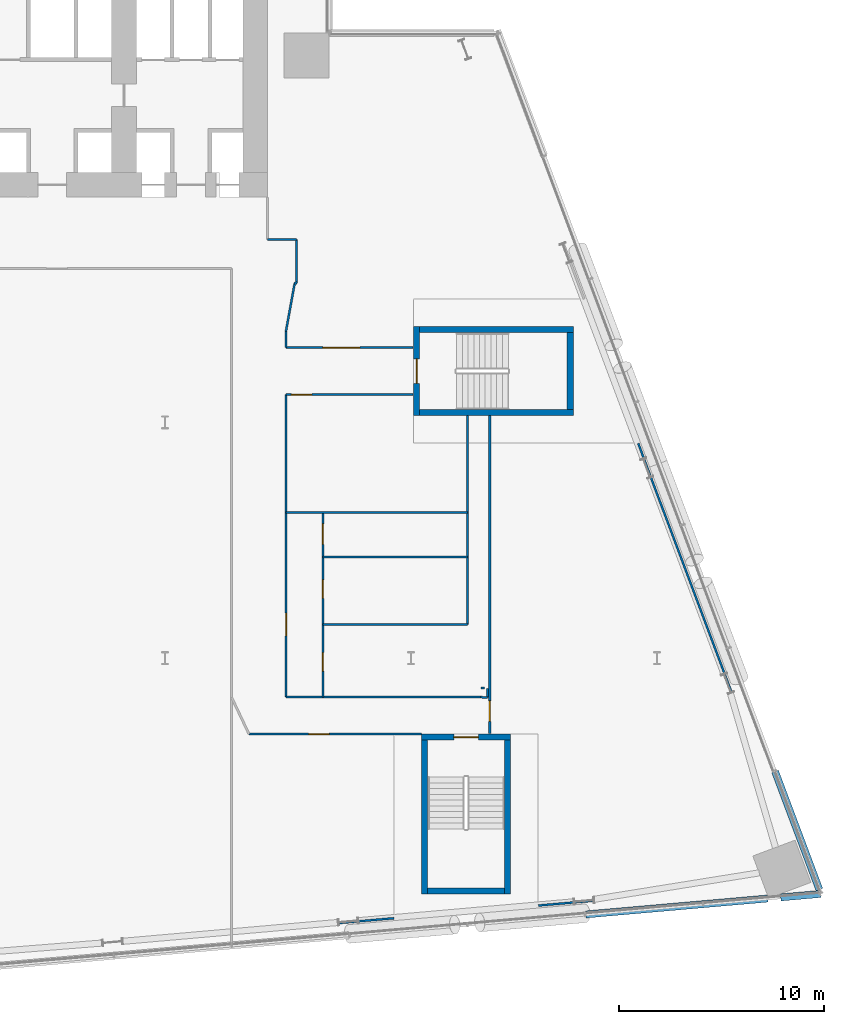
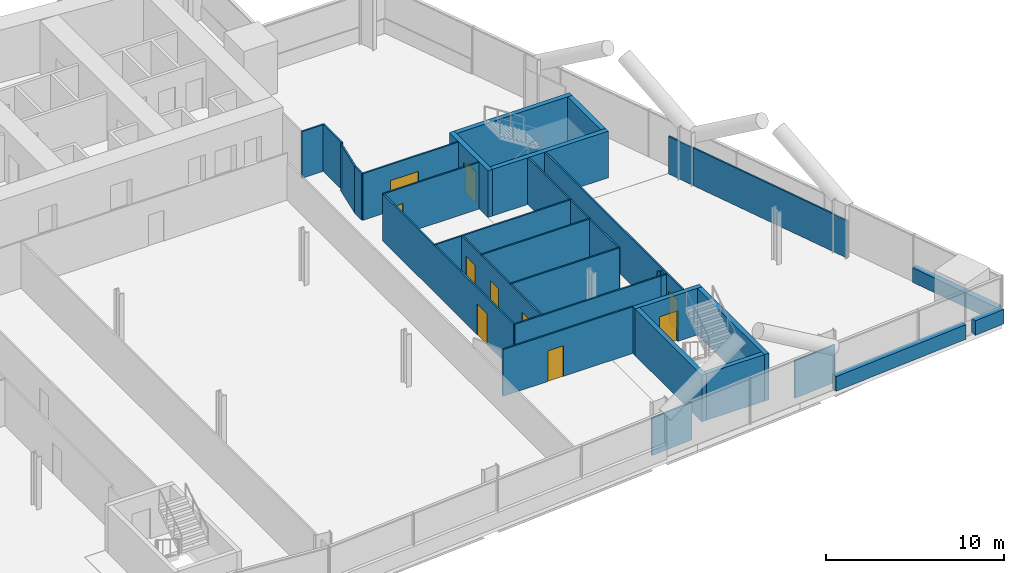
# One storey, part 16 of 24: 34 walls, 10 doors, 10 openings.
"""IFC4 building model written with IfcOpenShell, lengths in metres."""

from ifc_helpers import new_model, si_unit, direction, frame, frame_2d, origin, place, context, subcontext, project, spatial, rectangle, extrude, material, layer, layer_set, type_object, element, fill, save


model = new_model("IFC4")

# Units and contexts
model_context = context("Model", 3, precision=1e-05, world=origin(), true_north=direction((0.0, 1.0)))
body_context = subcontext(model_context, "Body", "Model", "MODEL_VIEW")
ifc_project = project(units=[si_unit("LENGTHUNIT", "METRE"), si_unit("AREAUNIT", "SQUARE_METRE"), si_unit("VOLUMEUNIT", "CUBIC_METRE"), si_unit("PLANEANGLEUNIT", "RADIAN"), si_unit("MASSUNIT", "GRAM", prefix="KILO")], contexts=[model_context])

# Site, building, storey
site_placement = place(None, origin())
site = spatial("IfcSite", under=ifc_project, at=site_placement, CompositionType="ELEMENT")
building_placement = place(site_placement, origin())
building = spatial("IfcBuilding", under=site, at=building_placement, Name="Wharfspan Tower", CompositionType="ELEMENT")
storey_placement = place(building_placement, frame((0.0, 0.0, 66.699951)))
storey = spatial("IfcBuildingStorey", under=building, at=storey_placement, Name="L13", CompositionType="ELEMENT", Elevation=66.699951)

# Wall, opening, door
ifc_material_1 = material(Name="Gypsum board on steel studs", Category="steel")
ifc_layer_1 = layer(ifc_material_1, 0.100098)
ifc_layer_set_1 = layer_set([ifc_layer_1], Name="Gypsum board on steel studs")
wall_type_1 = type_object("IfcWallType", Name="Compartment wall 100 EI 60", PredefinedType="PARTITIONING", material=ifc_layer_set_1)
wall_1_placement = place(storey_placement, frame((64.100098, 7.790039, 0.0), z_axis=(0.0, 0.0, 1.0), x_axis=(1.0, 0.0, 0.0)))
wall_1 = element("IfcWall", 1, at=wall_1_placement, inside=storey, type_object=wall_type_1, Name="Partition L13.w021", PredefinedType="PARTITIONING", context=body_context, shape_type="SweptSolid", body=[
    extrude(rectangle(XDim=8.41748, YDim=0.100098, at=frame_2d((4.20874, 0.0))), origin(), (0.0, 0.0, 1.0), 3.199951),
])
opening_1_placement = place(wall_1_placement, frame((2.913086, 0.0, 0.0)))
opening_1 = element("IfcOpeningElement", 2, at=opening_1_placement, cuts=wall_1, Name="Opening A3-01", PredefinedType="OPENING", context=body_context, shape_type="SweptSolid", body=[
    extrude(rectangle(XDim=1.0, YDim=2.100098, at=frame_2d((0.5, 1.050049))), frame((0.0, 0.060059, 0.0), z_axis=(0.0, -1.0, 0.0), x_axis=(1.0, 0.0, 0.0)), (0.0, 0.0, 1.0), 0.120117),
])
ifc_material_2 = material(Name="Fire-rated timber door leaf in steel frame", Category="steel")
door_type_1 = type_object("IfcDoorType", Name="Door 1000 FD30S Left", OperationType="SINGLE_SWING_LEFT", PredefinedType="DOOR", material=ifc_material_2)
door_1_placement = place(opening_1_placement, origin())
door_1 = element("IfcDoor", 3, at=door_1_placement, inside=storey, type_object=door_type_1, Name="Door A3-01", OperationType="SINGLE_SWING_LEFT", OverallHeight=2.100098, OverallWidth=1.0, PredefinedType="DOOR", context=body_context, shape_type="SweptSolid", body=[
    extrude(rectangle(XDim=1.0, YDim=2.100098, at=frame_2d((0.5, 1.050049))), frame((0.0, 0.024902, 0.0), z_axis=(0.0, -1.0, 0.0), x_axis=(1.0, 0.0, 0.0)), (0.0, 0.0, 1.0), 0.050049),
])
fill(opening_1, door_1)

# Wall
wall_2_placement = place(storey_placement, frame((65.0, 31.925049, 0.0), z_axis=(0.0, 0.0, 1.0), x_axis=(1.0, 0.0, 0.0)))
element("IfcWall", 4, at=wall_2_placement, inside=storey, type_object=wall_type_1, Name="Partition L13.w024", PredefinedType="PARTITIONING", context=body_context, shape_type="SweptSolid", body=[
    extrude(rectangle(XDim=1.425049, YDim=0.100098, at=frame_2d((0.712402, 0.0))), origin(), (0.0, 0.0, 1.0), 3.199951),
])

# Wall, opening, door
wall_3_placement = place(storey_placement, frame((65.899902, 24.350098, 0.0), z_axis=(0.0, 0.0, 1.0), x_axis=(1.0, 0.0, 0.0)))
wall_3 = element("IfcWall", 5, at=wall_3_placement, inside=storey, type_object=wall_type_1, Name="Partition L13.w025", PredefinedType="PARTITIONING", context=body_context, shape_type="SweptSolid", body=[
    extrude(rectangle(XDim=6.205078, YDim=0.100098, at=frame_2d((3.102539, 0.0))), origin(), (0.0, 0.0, 1.0), 3.199951),
])
opening_2_placement = place(wall_3_placement, frame((0.264893, 0.0, 0.0)))
opening_2 = element("IfcOpeningElement", 6, at=opening_2_placement, cuts=wall_3, Name="Opening A3-09", PredefinedType="OPENING", context=body_context, shape_type="SweptSolid", body=[
    extrude(rectangle(XDim=1.0, YDim=2.100098, at=frame_2d((0.5, 1.050049))), frame((0.0, 0.060059, 0.0), z_axis=(0.0, -1.0, 0.0), x_axis=(1.0, 0.0, 0.0)), (0.0, 0.0, 1.0), 0.120117),
])
door_2_placement = place(opening_2_placement, origin())
door_2 = element("IfcDoor", 7, at=door_2_placement, inside=storey, type_object=door_type_1, Name="Door A3-09", OperationType="SINGLE_SWING_LEFT", OverallHeight=2.100098, OverallWidth=1.0, PredefinedType="DOOR", context=body_context, shape_type="SweptSolid", body=[
    extrude(rectangle(XDim=1.0, YDim=2.100098, at=frame_2d((0.5, 1.050049))), frame((0.0, 0.024902, 0.0), z_axis=(0.0, -1.0, 0.0), x_axis=(1.0, 0.0, 0.0)), (0.0, 0.0, 1.0), 0.050049),
])
fill(opening_2, door_2)

# Wall
wall_4_placement = place(storey_placement, frame((65.899902, 26.649902, 0.0), z_axis=(0.0, 0.0, 1.0), x_axis=(0.0, 1.0, 0.0)))
element("IfcWall", 8, at=wall_4_placement, inside=storey, type_object=wall_type_1, Name="Partition L13.w026", PredefinedType="PARTITIONING", context=body_context, shape_type="SweptSolid", body=[
    extrude(rectangle(XDim=0.785156, YDim=0.100098, at=frame_2d((0.392578, 0.0))), origin(), (0.0, 0.0, 1.0), 3.199951),
])

# Wall, opening, door
wall_5_placement = place(storey_placement, frame((65.899902, 26.649902, 0.0), z_axis=(0.0, 0.0, 1.0), x_axis=(1.0, 0.0, 0.0)))
wall_5 = element("IfcWall", 9, at=wall_5_placement, inside=storey, type_object=wall_type_1, Name="Partition L13.w027", PredefinedType="PARTITIONING", context=body_context, shape_type="SweptSolid", body=[
    extrude(rectangle(XDim=6.205078, YDim=0.100098, at=frame_2d((3.102539, 0.0))), origin(), (0.0, 0.0, 1.0), 3.199951),
])
opening_3_placement = place(wall_5_placement, frame((1.804932, 0.0, 0.0)))
opening_3 = element("IfcOpeningElement", 10, at=opening_3_placement, cuts=wall_5, Name="Opening A3-11", PredefinedType="OPENING", context=body_context, shape_type="SweptSolid", body=[
    extrude(rectangle(XDim=1.800049, YDim=2.100098, at=frame_2d((0.899902, 1.050049))), frame((0.0, 0.060059, 0.0), z_axis=(0.0, -1.0, 0.0), x_axis=(1.0, 0.0, 0.0)), (0.0, 0.0, 1.0), 0.120117),
])
door_type_2 = type_object("IfcDoorType", Name="Door 1800 FD30S Double", OperationType="DOUBLE_DOOR_SINGLE_SWING", PredefinedType="DOOR", material=ifc_material_2)
door_3_placement = place(opening_3_placement, origin())
door_3 = element("IfcDoor", 11, at=door_3_placement, inside=storey, type_object=door_type_2, Name="Door A3-11", OperationType="DOUBLE_DOOR_SINGLE_SWING", OverallHeight=2.100098, OverallWidth=1.800049, PredefinedType="DOOR", context=body_context, shape_type="SweptSolid", body=[
    extrude(rectangle(XDim=1.800049, YDim=2.100098, at=frame_2d((0.899902, 1.050049))), frame((0.0, 0.024902, 0.0), z_axis=(0.0, -1.0, 0.0), x_axis=(1.0, 0.0, 0.0)), (0.0, 0.0, 1.0), 0.050049),
])
fill(opening_3, door_3)

# Wall
wall_6_placement = place(storey_placement, frame((65.899902, 27.435059, 0.0), z_axis=(0.0, 0.0, 1.0), x_axis=(0.178584, 0.983924, 0.0)))
element("IfcWall", 12, at=wall_6_placement, inside=storey, type_object=wall_type_1, Name="Partition L13.w028", PredefinedType="PARTITIONING", context=body_context, shape_type="SweptSolid", body=[
    extrude(rectangle(XDim=2.352783, YDim=0.100098, at=frame_2d((1.17627, 0.0))), origin(), (0.0, 0.0, 1.0), 3.199951),
])

# Wall, opening, door
wall_7_placement = place(storey_placement, frame((65.909912, 9.600098, 0.0), z_axis=(0.0, 0.0, 1.0), x_axis=(0.0, 1.0, 0.0)))
wall_7 = element("IfcWall", 13, at=wall_7_placement, inside=storey, type_object=wall_type_1, Name="Partition L13.w029", PredefinedType="PARTITIONING", context=body_context, shape_type="SweptSolid", body=[
    extrude(rectangle(XDim=14.75, YDim=0.100098, at=frame_2d((7.375, 0.0))), origin(), (0.0, 0.0, 1.0), 3.199951),
])
opening_4_placement = place(wall_7_placement, frame((2.98999, 0.0, 0.0)))
opening_4 = element("IfcOpeningElement", 14, at=opening_4_placement, cuts=wall_7, Name="Opening A3-04", PredefinedType="OPENING", context=body_context, shape_type="SweptSolid", body=[
    extrude(rectangle(XDim=1.100098, YDim=2.100098, at=frame_2d((0.550049, 1.050049))), frame((0.0, 0.060059, 0.0), z_axis=(0.0, -1.0, 0.0), x_axis=(1.0, 0.0, 0.0)), (0.0, 0.0, 1.0), 0.120117),
])
door_type_3 = type_object("IfcDoorType", Name="Door 1100 FD30S Left", OperationType="SINGLE_SWING_LEFT", PredefinedType="DOOR", material=ifc_material_2)
door_4_placement = place(opening_4_placement, origin())
door_4 = element("IfcDoor", 15, at=door_4_placement, inside=storey, type_object=door_type_3, Name="Door A3-04", OperationType="SINGLE_SWING_LEFT", OverallHeight=2.100098, OverallWidth=1.100098, PredefinedType="DOOR", context=body_context, shape_type="SweptSolid", body=[
    extrude(rectangle(XDim=1.100098, YDim=2.100098, at=frame_2d((0.550049, 1.050049))), frame((0.0, 0.024902, 0.0), z_axis=(0.0, -1.0, 0.0), x_axis=(1.0, 0.0, 0.0)), (0.0, 0.0, 1.0), 0.050049),
])
fill(opening_4, door_4)

# Walls
wall_8_placement = place(storey_placement, frame((65.909912, 9.600098, 0.0), z_axis=(0.0, 0.0, 1.0), x_axis=(1.0, 0.0, 0.0)))
element("IfcWall", 16, at=wall_8_placement, inside=storey, type_object=wall_type_1, Name="Partition L13.w030", PredefinedType="PARTITIONING", context=body_context, shape_type="SweptSolid", body=[
    extrude(rectangle(XDim=9.485107, YDim=0.100098, at=frame_2d((4.742676, 0.0))), origin(), (0.0, 0.0, 1.0), 3.199951),
])
wall_9_placement = place(storey_placement, frame((65.909912, 18.594971, 0.0), z_axis=(0.0, 0.0, 1.0), x_axis=(1.0, 0.0, 0.0)))
element("IfcWall", 17, at=wall_9_placement, inside=storey, type_object=wall_type_1, Name="Partition L13.w031", PredefinedType="PARTITIONING", context=body_context, shape_type="SweptSolid", body=[
    extrude(rectangle(XDim=8.840088, YDim=0.100098, at=frame_2d((4.419922, 0.0))), origin(), (0.0, 0.0, 1.0), 3.199951),
])
wall_10_placement = place(storey_placement, frame((66.320068, 29.75, 0.0), z_axis=(0.0, 0.0, 1.0), x_axis=(0.741581, 0.670872, 0.0)))
element("IfcWall", 18, at=wall_10_placement, inside=storey, type_object=wall_type_1, Name="Partition L13.w032", PredefinedType="PARTITIONING", context=body_context, shape_type="SweptSolid", body=[
    extrude(rectangle(XDim=0.141602, YDim=0.100098, at=frame_2d((0.070801, 0.0))), origin(), (0.0, 0.0, 1.0), 3.199951),
])
wall_11_placement = place(storey_placement, frame((66.425049, 29.844971, 0.0), z_axis=(0.0, 0.0, 1.0), x_axis=(0.0, 1.0, 0.0)))
element("IfcWall", 19, at=wall_11_placement, inside=storey, type_object=wall_type_1, Name="Partition L13.w033", PredefinedType="PARTITIONING", context=body_context, shape_type="SweptSolid", body=[
    extrude(rectangle(XDim=2.080078, YDim=0.100098, at=frame_2d((1.040039, 0.0))), origin(), (0.0, 0.0, 1.0), 3.199951),
])

# Wall, openings, doors
wall_12_placement = place(storey_placement, frame((67.699951, 9.600098, 0.0), z_axis=(0.0, 0.0, 1.0), x_axis=(0.0, 1.0, 0.0)))
wall_12 = element("IfcWall", 20, at=wall_12_placement, inside=storey, type_object=wall_type_1, Name="Partition L13.w034", PredefinedType="PARTITIONING", context=body_context, shape_type="SweptSolid", body=[
    extrude(rectangle(XDim=8.994873, YDim=0.100098, at=frame_2d((4.497559, 0.0))), origin(), (0.0, 0.0, 1.0), 3.199951),
])
opening_5_placement = place(wall_12_placement, frame((1.264404, 0.0, 0.0)))
opening_5 = element("IfcOpeningElement", 21, at=opening_5_placement, cuts=wall_12, Name="Opening A3-03", PredefinedType="OPENING", context=body_context, shape_type="SweptSolid", body=[
    extrude(rectangle(XDim=0.899902, YDim=2.100098, at=frame_2d((0.449951, 1.050049))), frame((0.0, 0.060059, 0.0), z_axis=(0.0, -1.0, 0.0), x_axis=(1.0, 0.0, 0.0)), (0.0, 0.0, 1.0), 0.120117),
])
opening_6_placement = place(wall_12_placement, frame((4.819092, 0.0, 0.0)))
opening_6 = element("IfcOpeningElement", 22, at=opening_6_placement, cuts=wall_12, Name="Opening A3-06", PredefinedType="OPENING", context=body_context, shape_type="SweptSolid", body=[
    extrude(rectangle(XDim=0.899902, YDim=2.100098, at=frame_2d((0.449951, 1.050049))), frame((0.0, 0.060059, 0.0), z_axis=(0.0, -1.0, 0.0), x_axis=(1.0, 0.0, 0.0)), (0.0, 0.0, 1.0), 0.120117),
])
opening_7_placement = place(wall_12_placement, frame((7.454102, 0.0, 0.0)))
opening_7 = element("IfcOpeningElement", 23, at=opening_7_placement, cuts=wall_12, Name="Opening A3-07", PredefinedType="OPENING", context=body_context, shape_type="SweptSolid", body=[
    extrude(rectangle(XDim=1.0, YDim=2.100098, at=frame_2d((0.5, 1.050049))), frame((0.0, 0.060059, 0.0), z_axis=(0.0, -1.0, 0.0), x_axis=(1.0, 0.0, 0.0)), (0.0, 0.0, 1.0), 0.120117),
])
ifc_material_3 = material(Name="Timber door leaf in steel frame", Category="steel")
door_type_4 = type_object("IfcDoorType", Name="Door 1000 NOT RATED Right", OperationType="SINGLE_SWING_RIGHT", PredefinedType="DOOR", material=ifc_material_3)
door_5_placement = place(opening_7_placement, origin())
door_5 = element("IfcDoor", 24, at=door_5_placement, inside=storey, type_object=door_type_4, Name="Door A3-07", OperationType="SINGLE_SWING_RIGHT", OverallHeight=2.100098, OverallWidth=1.0, PredefinedType="DOOR", context=body_context, shape_type="SweptSolid", body=[
    extrude(rectangle(XDim=1.0, YDim=2.100098, at=frame_2d((0.5, 1.050049))), frame((0.0, 0.024902, 0.0), z_axis=(0.0, -1.0, 0.0), x_axis=(1.0, 0.0, 0.0)), (0.0, 0.0, 1.0), 0.050049),
])
fill(opening_7, door_5)
door_type_5 = type_object("IfcDoorType", Name="Door 900 NOT RATED Left", OperationType="SINGLE_SWING_LEFT", PredefinedType="DOOR", material=ifc_material_3)
door_6_placement = place(opening_5_placement, origin())
door_6 = element("IfcDoor", 25, at=door_6_placement, inside=storey, type_object=door_type_5, Name="Door A3-03", OperationType="SINGLE_SWING_LEFT", OverallHeight=2.100098, OverallWidth=0.899902, PredefinedType="DOOR", context=body_context, shape_type="SweptSolid", body=[
    extrude(rectangle(XDim=0.899902, YDim=2.100098, at=frame_2d((0.449951, 1.050049))), frame((0.0, 0.024902, 0.0), z_axis=(0.0, -1.0, 0.0), x_axis=(1.0, 0.0, 0.0)), (0.0, 0.0, 1.0), 0.050049),
])
fill(opening_5, door_6)
door_type_6 = type_object("IfcDoorType", Name="Door 900 NOT RATED Right", OperationType="SINGLE_SWING_RIGHT", PredefinedType="DOOR", material=ifc_material_3)
door_7_placement = place(opening_6_placement, origin())
door_7 = element("IfcDoor", 26, at=door_7_placement, inside=storey, type_object=door_type_6, Name="Door A3-06", OperationType="SINGLE_SWING_RIGHT", OverallHeight=2.100098, OverallWidth=0.899902, PredefinedType="DOOR", context=body_context, shape_type="SweptSolid", body=[
    extrude(rectangle(XDim=0.899902, YDim=2.100098, at=frame_2d((0.449951, 1.050049))), frame((0.0, 0.024902, 0.0), z_axis=(0.0, -1.0, 0.0), x_axis=(1.0, 0.0, 0.0)), (0.0, 0.0, 1.0), 0.050049),
])
fill(opening_6, door_7)

# Walls
wall_13_placement = place(storey_placement, frame((75.429932, 10.044922, 0.0), z_axis=(0.0, 0.0, 1.0), x_axis=(1.0, 0.0, 0.0)))
element("IfcWall", 27, at=wall_13_placement, inside=storey, type_object=wall_type_1, Name="Partition L13.w039", PredefinedType="PARTITIONING", context=body_context, shape_type="SweptSolid", body=[
    extrude(rectangle(XDim=0.160156, YDim=0.100098, at=frame_2d((0.080078, 0.0))), origin(), (0.0, 0.0, 1.0), 3.199951),
])
wall_14_placement = place(storey_placement, frame((75.725098, 9.574951, 0.0), z_axis=(0.0, 0.0, 1.0), x_axis=(-0.99817, 0.06054, 0.0)))
element("IfcWall", 28, at=wall_14_placement, inside=storey, type_object=wall_type_1, Name="Partition L13.w040", PredefinedType="PARTITIONING", context=body_context, shape_type="SweptSolid", body=[
    extrude(rectangle(XDim=0.330566, YDim=0.100098, at=frame_2d((0.165283, 0.0))), origin(), (0.0, 0.0, 1.0), 3.199951),
])
wall_15_placement = place(storey_placement, frame((75.725098, 9.574951, 0.0), z_axis=(0.0, 0.0, 1.0), x_axis=(0.0, 1.0, 0.0)))
element("IfcWall", 29, at=wall_15_placement, inside=storey, type_object=wall_type_1, Name="Partition L13.w041", PredefinedType="PARTITIONING", context=body_context, shape_type="SweptSolid", body=[
    extrude(rectangle(XDim=0.449951, YDim=0.100098, at=frame_2d((0.225098, 0.0))), origin(), (0.0, 0.0, 1.0), 3.199951),
])

# Wall, opening, door
wall_16_placement = place(storey_placement, frame((75.844971, 7.812012, 0.0), z_axis=(0.0, 0.0, 1.0), x_axis=(0.0, 1.0, 0.0)))
wall_16 = element("IfcWall", 30, at=wall_16_placement, inside=storey, type_object=wall_type_1, Name="Partition L13.w042", PredefinedType="PARTITIONING", context=body_context, shape_type="SweptSolid", body=[
    extrude(rectangle(XDim=15.512939, YDim=0.100098, at=frame_2d((7.756348, 0.0))), origin(), (0.0, 0.0, 1.0), 3.199951),
])
opening_8_placement = place(wall_16_placement, frame((0.5979, 0.0, 0.0)))
opening_8 = element("IfcOpeningElement", 31, at=opening_8_placement, cuts=wall_16, Name="Opening A3-02", PredefinedType="OPENING", context=body_context, shape_type="SweptSolid", body=[
    extrude(rectangle(XDim=1.0, YDim=2.100098, at=frame_2d((0.5, 1.050049))), frame((0.0, 0.060059, 0.0), z_axis=(0.0, -1.0, 0.0), x_axis=(1.0, 0.0, 0.0)), (0.0, 0.0, 1.0), 0.120117),
])
door_8_placement = place(opening_8_placement, origin())
door_8 = element("IfcDoor", 32, at=door_8_placement, inside=storey, type_object=door_type_1, Name="Door A3-02", OperationType="SINGLE_SWING_LEFT", OverallHeight=2.100098, OverallWidth=1.0, PredefinedType="DOOR", context=body_context, shape_type="SweptSolid", body=[
    extrude(rectangle(XDim=1.0, YDim=2.100098, at=frame_2d((0.5, 1.050049))), frame((0.0, 0.024902, 0.0), z_axis=(0.0, -1.0, 0.0), x_axis=(1.0, 0.0, 0.0)), (0.0, 0.0, 1.0), 0.050049),
])
fill(opening_8, door_8)

# Walls
ifc_layer_2 = layer(ifc_material_1, 0.100098)
ifc_layer_set_2 = layer_set([ifc_layer_2], Name="Gypsum board on steel studs")
wall_type_2 = type_object("IfcWallType", Name="Partition 100", PredefinedType="PARTITIONING", material=ifc_layer_set_2)
for number, where, z_axis, x_axis, name in (
    (33, (67.699951, 13.149902, 0.0), (0.0, 0.0, 1.0), (1.0, 0.0, 0.0), "Partition L13.w035"),
    (34, (67.699951, 16.435059, 0.0), (0.0, 0.0, 1.0), (1.0, 0.0, 0.0), "Partition L13.w036"),
):
    element("IfcWall", number, at=place(storey_placement, frame(where, z_axis=z_axis, x_axis=x_axis)), inside=storey, type_object=wall_type_2, Name=name, PredefinedType="PARTITIONING", context=body_context, shape_type="SweptSolid", body=[
        extrude(rectangle(XDim=7.050049, YDim=0.100098, at=frame_2d((3.524902, 0.0))), origin(), (0.0, 0.0, 1.0), 3.199951),
    ])
wall_17_placement = place(storey_placement, frame((68.445068, -1.429932, 0.0), z_axis=(0.0, 0.0, 1.0), x_axis=(0.996195, 0.087118, 0.0)))
element("IfcWall", 35, at=wall_17_placement, inside=storey, type_object=wall_type_2, Name="Partition L13.w037", PredefinedType="PARTITIONING", context=body_context, shape_type="SweptSolid", body=[
    extrude(rectangle(XDim=2.738037, YDim=0.100098, at=frame_2d((1.369141, 0.0))), origin(), (0.0, 0.0, 1.0), 2.580078),
])
wall_18_placement = place(storey_placement, frame((74.75, 13.149902, 0.0), z_axis=(0.0, 0.0, 1.0), x_axis=(0.0, 1.0, 0.0)))
element("IfcWall", 36, at=wall_18_placement, inside=storey, type_object=wall_type_2, Name="Partition L13.w038", PredefinedType="PARTITIONING", context=body_context, shape_type="SweptSolid", body=[
    extrude(rectangle(XDim=10.175049, YDim=0.100098, at=frame_2d((5.087402, 0.0))), origin(), (0.0, 0.0, 1.0), 3.199951),
])
wall_19_placement = place(storey_placement, frame((78.212402, -0.572998, 0.0), z_axis=(0.0, 0.0, 1.0), x_axis=(0.996224, 0.086779, 0.0)))
element("IfcWall", 37, at=wall_19_placement, inside=storey, type_object=wall_type_2, Name="Partition L13.w043", PredefinedType="PARTITIONING", context=body_context, shape_type="SweptSolid", body=[
    extrude(rectangle(XDim=2.74292, YDim=0.100098, at=frame_2d((1.371582, 0.0))), origin(), (0.0, 0.0, 1.0), 2.580078),
])
wall_20_placement = place(storey_placement, frame((83.709961, 20.310059, 0.0), z_axis=(0.0, 0.0, 1.0), x_axis=(-0.349322, 0.937005, 0.0)))
element("IfcWall", 38, at=wall_20_placement, inside=storey, type_object=wall_type_2, Name="Partition L13.w045", PredefinedType="PARTITIONING", context=body_context, shape_type="SweptSolid", body=[
    extrude(rectangle(XDim=1.782227, YDim=0.100098, at=frame_2d((0.891113, 0.0))), origin(), (0.0, 0.0, 1.0), 2.580078),
])
wall_21_placement = place(storey_placement, frame((87.649902, 9.810059, 0.0), z_axis=(0.0, 0.0, 1.0), x_axis=(-0.351395, 0.936227, 0.0)))
element("IfcWall", 39, at=wall_21_placement, inside=storey, type_object=wall_type_2, Name="Partition L13.w046", PredefinedType="PARTITIONING", context=body_context, shape_type="SweptSolid", body=[
    extrude(rectangle(XDim=11.226074, YDim=0.100098, at=frame_2d((5.613037, 0.0))), origin(), (0.0, 0.0, 1.0), 2.580078),
])
ifc_material_4 = material(Name="Concrete C40/50", Category="concrete")
ifc_layer_3 = layer(ifc_material_4, 0.350098)
ifc_layer_set_3 = layer_set([ifc_layer_3], Name="Concrete C40/50")
wall_type_3 = type_object("IfcWallType", Name="SPANDREL EXPOSED CONCRETE 350", PredefinedType="SOLIDWALL", material=ifc_layer_set_3)
wall_22_placement = place(storey_placement, frame((80.530273, -1.008545, 0.0), z_axis=(0.0, 0.0, 1.0), x_axis=(0.996198, 0.087169, 0.0)))
element("IfcWall", 40, at=wall_22_placement, inside=storey, type_object=wall_type_3, Name="Spandrel upstand L13 S2 2", PredefinedType="SOLIDWALL", context=body_context, shape_type="SweptSolid", body=[
    extrude(rectangle(XDim=8.912109, YDim=0.350098, at=frame_2d((4.456055, 0.0))), origin(), (0.0, 0.0, 1.0), 1.0),
])
wall_23_placement = place(storey_placement, frame((90.039062, -0.176514, 0.0), z_axis=(0.0, 0.0, 1.0), x_axis=(0.996193, 0.08717, 0.0)))
element("IfcWall", 41, at=wall_23_placement, inside=storey, type_object=wall_type_3, Name="Spandrel upstand L13 S2 3", PredefinedType="SOLIDWALL", context=body_context, shape_type="SweptSolid", body=[
    extrude(rectangle(XDim=1.968994, YDim=0.350098, at=frame_2d((0.984375, 0.0))), origin(), (0.0, 0.0, 1.0), 1.0),
])
wall_24_placement = place(storey_placement, frame((91.926025, 0.211182, 0.0), z_axis=(0.0, 0.0, 1.0), x_axis=(-0.351118, 0.936328, 0.0)))
element("IfcWall", 42, at=wall_24_placement, inside=storey, type_object=wall_type_3, Name="Spandrel upstand L13 E 1", PredefinedType="SOLIDWALL", context=body_context, shape_type="SweptSolid", body=[
    extrude(rectangle(XDim=6.154297, YDim=0.350098, at=frame_2d((3.077148, 0.0))), origin(), (0.0, 0.0, 1.0), 1.0),
])

# Wall, opening, door
ifc_layer_4 = layer(ifc_material_4, 0.300049)
ifc_layer_set_4 = layer_set([ifc_layer_4], Name="Concrete C40/50")
wall_type_4 = type_object("IfcWallType", Name="Stair core wall 300", PredefinedType="SHEAR", material=ifc_layer_set_4)
wall_25_placement = place(storey_placement, frame((72.517578, 7.64209, 0.0), z_axis=(0.0, 0.0, 1.0), x_axis=(1.0, 0.0, 0.0)))
wall_25 = element("IfcWall", 43, at=wall_25_placement, inside=storey, type_object=wall_type_4, Name="ST5 stair enclosure wall L13", PredefinedType="SHEAR", context=body_context, shape_type="SweptSolid", body=[
    extrude(rectangle(XDim=4.349854, YDim=0.300049, at=frame_2d((2.174805, 0.0))), origin(), (0.0, 0.0, 1.0), 3.199951),
])
opening_9_placement = place(wall_25_placement, frame((1.574951, 0.0, 0.0)))
opening_9 = element("IfcOpeningElement", 44, at=opening_9_placement, cuts=wall_25, Name="Opening SD5.L13", PredefinedType="OPENING", context=body_context, shape_type="SweptSolid", body=[
    extrude(rectangle(XDim=1.199951, YDim=2.100098, at=frame_2d((0.600098, 1.050049))), frame((0.0, 0.159912, 0.0), z_axis=(0.0, -1.0, 0.0), x_axis=(1.0, 0.0, 0.0)), (0.0, 0.0, 1.0), 0.320068),
])
ifc_material_5 = material(Name="Steel door leaf", Category="steel")
door_type_7 = type_object("IfcDoorType", Name="Stair door 1200x2100", OperationType="SINGLE_SWING_LEFT", PredefinedType="DOOR", material=ifc_material_5)
door_9_placement = place(opening_9_placement, origin())
door_9 = element("IfcDoor", 45, at=door_9_placement, inside=storey, type_object=door_type_7, Name="sd:L13:ST5z1", OperationType="SINGLE_SWING_RIGHT", OverallHeight=2.100098, OverallWidth=1.199951, PredefinedType="DOOR", context=body_context, shape_type="SweptSolid", body=[
    extrude(rectangle(XDim=1.199951, YDim=2.100098, at=frame_2d((0.600098, 1.050049))), frame((0.0, 0.024902, 0.0), z_axis=(0.0, -1.0, 0.0), x_axis=(1.0, 0.0, 0.0)), (0.0, 0.0, 1.0), 0.050049),
])
fill(opening_9, door_9)

wall_26_placement = place(storey_placement, frame((72.274902, 23.324951, 0.0), z_axis=(0.0, 0.0, 1.0), x_axis=(0.0, 1.0, 0.0)))
wall_26 = element("IfcWall", 46, at=wall_26_placement, inside=storey, type_object=wall_type_4, Name="ST6 stair enclosure wall L13", PredefinedType="SHEAR", context=body_context, shape_type="SweptSolid", body=[
    extrude(rectangle(XDim=4.350098, YDim=0.300049, at=frame_2d((2.175049, 0.0))), origin(), (0.0, 0.0, 1.0), 3.199951),
])
opening_10_placement = place(wall_26_placement, frame((1.574951, 0.0, 0.0)))
opening_10 = element("IfcOpeningElement", 47, at=opening_10_placement, cuts=wall_26, Name="Opening SD6.L13", PredefinedType="OPENING", context=body_context, shape_type="SweptSolid", body=[
    extrude(rectangle(XDim=1.199951, YDim=2.100098, at=frame_2d((0.600098, 1.050049))), frame((0.0, 0.159912, 0.0), z_axis=(0.0, -1.0, 0.0), x_axis=(1.0, 0.0, 0.0)), (0.0, 0.0, 1.0), 0.320068),
])
door_10_placement = place(opening_10_placement, origin())
door_10 = element("IfcDoor", 48, at=door_10_placement, inside=storey, type_object=door_type_7, Name="sd:L13:ST6z1", OperationType="SINGLE_SWING_RIGHT", OverallHeight=2.100098, OverallWidth=1.199951, PredefinedType="DOOR", context=body_context, shape_type="SweptSolid", body=[
    extrude(rectangle(XDim=1.199951, YDim=2.100098, at=frame_2d((0.600098, 1.050049))), frame((0.0, 0.024902, 0.0), z_axis=(0.0, -1.0, 0.0), x_axis=(1.0, 0.0, 0.0)), (0.0, 0.0, 1.0), 0.050049),
])
fill(opening_10, door_10)

# Walls
for number, where, z_axis, x_axis, name in (
    (49, (72.66748, -0.008057, 0.0), (0.0, 0.0, 1.0), (0.0, 1.0, 0.0), "ST5 stair enclosure wall L13"),
    (50, (76.717529, -0.008057, 0.0), (0.0, 0.0, 1.0), (0.0, 1.0, 0.0), "ST5 stair enclosure wall L13"),
):
    element("IfcWall", number, at=place(storey_placement, frame(where, z_axis=z_axis, x_axis=x_axis)), inside=storey, type_object=wall_type_4, Name=name, PredefinedType="SHEAR", context=body_context, shape_type="SweptSolid", body=[
        extrude(rectangle(XDim=7.5, YDim=0.300049, at=frame_2d((3.75, 0.0))), origin(), (0.0, 0.0, 1.0), 3.199951),
    ])
wall_27_placement = place(storey_placement, frame((72.817383, 0.14209, 0.0), z_axis=(0.0, 0.0, 1.0), x_axis=(1.0, 0.0, 0.0)))
element("IfcWall", 51, at=wall_27_placement, inside=storey, type_object=wall_type_4, Name="ST5 stair enclosure wall L13", PredefinedType="SHEAR", context=body_context, shape_type="SweptSolid", body=[
    extrude(rectangle(XDim=3.75, YDim=0.300049, at=frame_2d((1.875, 0.0))), origin(), (0.0, 0.0, 1.0), 3.199951),
])
for number, where, z_axis, x_axis, name in (
    (52, (72.425049, 23.475098, 0.0), (0.0, 0.0, 1.0), (1.0, 0.0, 0.0), "ST6 stair enclosure wall L13"),
    (53, (72.425049, 27.524902, 0.0), (0.0, 0.0, 1.0), (1.0, 0.0, 0.0), "ST6 stair enclosure wall L13"),
):
    element("IfcWall", number, at=place(storey_placement, frame(where, z_axis=z_axis, x_axis=x_axis)), inside=storey, type_object=wall_type_4, Name=name, PredefinedType="SHEAR", context=body_context, shape_type="SweptSolid", body=[
        extrude(rectangle(XDim=7.5, YDim=0.300049, at=frame_2d((3.75, 0.0))), origin(), (0.0, 0.0, 1.0), 3.199951),
    ])
wall_28_placement = place(storey_placement, frame((79.774902, 23.625, 0.0), z_axis=(0.0, 0.0, 1.0), x_axis=(0.0, 1.0, 0.0)))
element("IfcWall", 54, at=wall_28_placement, inside=storey, type_object=wall_type_4, Name="ST6 stair enclosure wall L13", PredefinedType="SHEAR", context=body_context, shape_type="SweptSolid", body=[
    extrude(rectangle(XDim=3.75, YDim=0.300049, at=frame_2d((1.875, 0.0))), origin(), (0.0, 0.0, 1.0), 3.199951),
])

save(model, "model.ifc")
